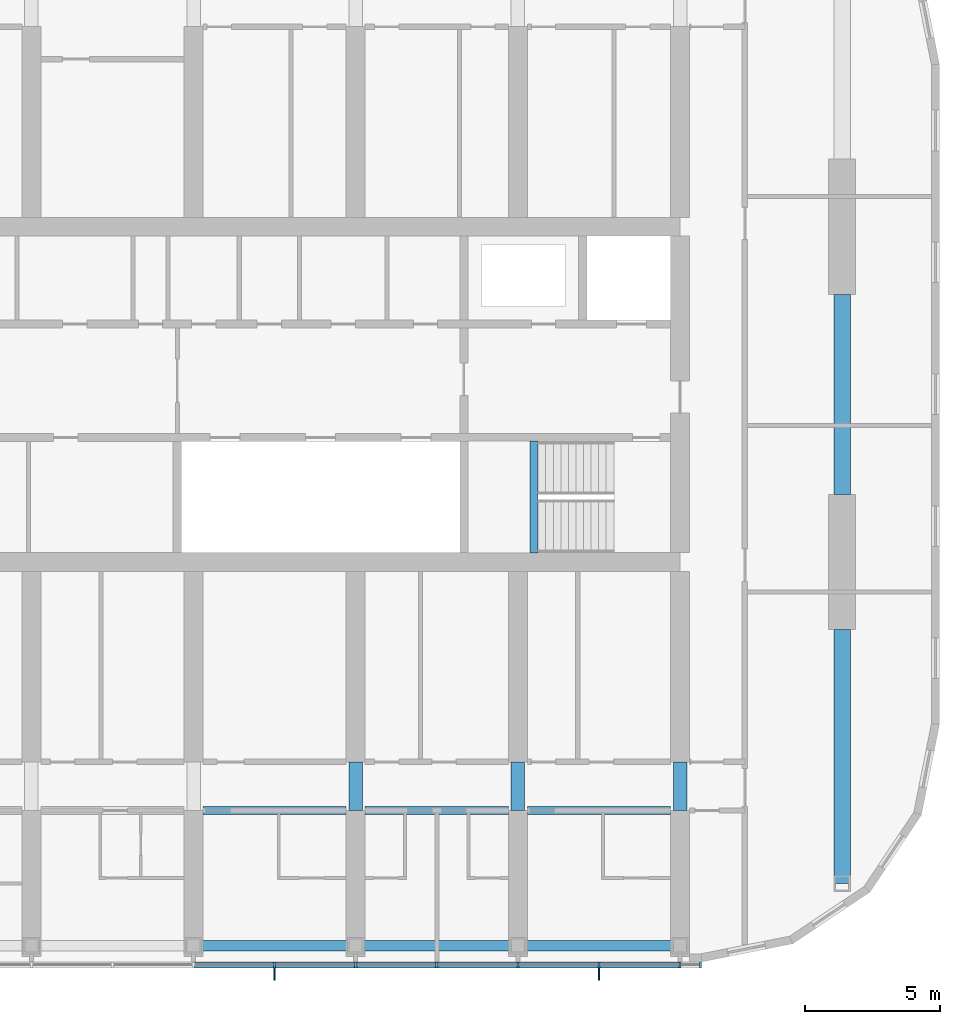
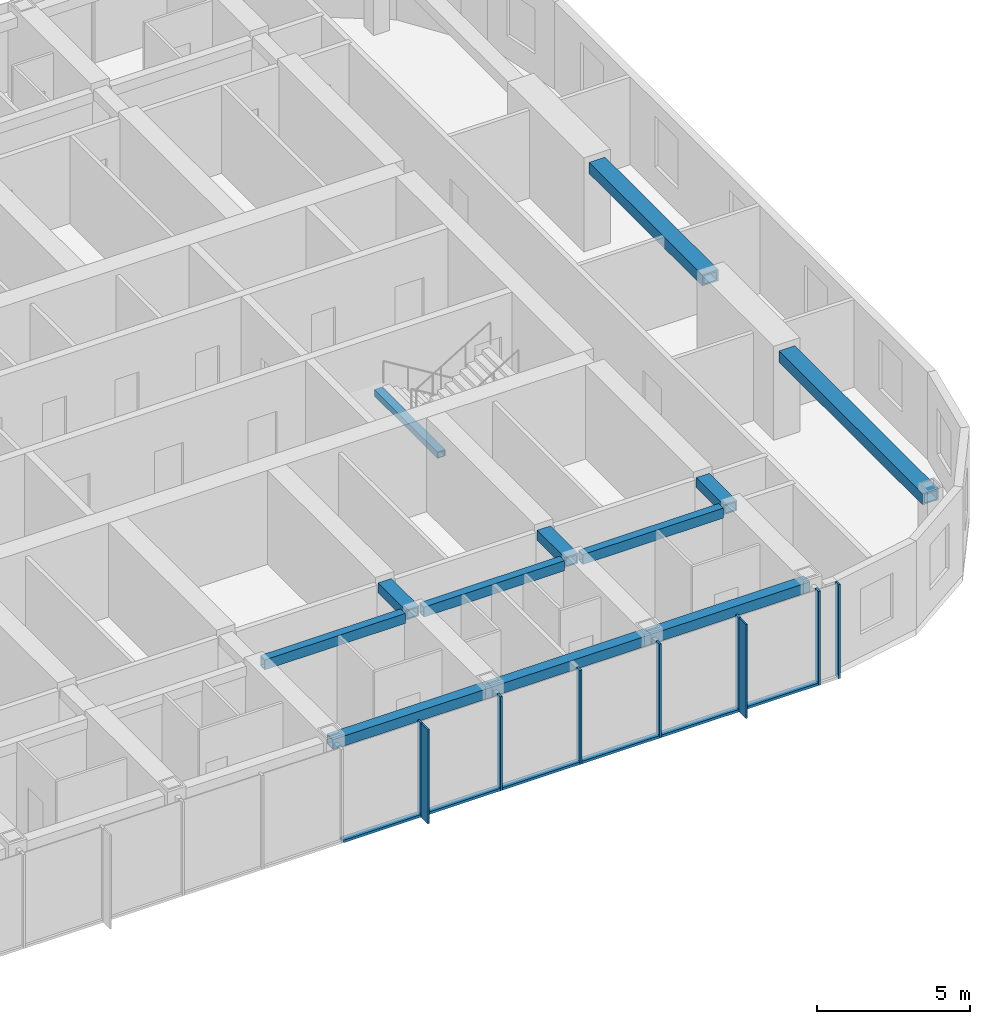
# One storey, part 3 of 23: 15 members, 12 beams, 1 element without a shape of its own.
"""IFC4 building model written with IfcOpenShell, lengths in metres."""

from ifc_helpers import new_model, si_unit, direction, frame, origin, origin_2d, place, context, subcontext, project, spatial, rectangle, hollow_rectangle, extrude, material, material_profile, profile_set, type_object, element, aggregate, save


model = new_model("IFC4")

# Units and contexts
model_context = context("Model", 3, precision=1e-05, world=origin(), true_north=direction((0.0, 1.0)))
body_context = subcontext(model_context, "Body", "Model", "MODEL_VIEW")
ifc_project = project(units=[si_unit("LENGTHUNIT", "METRE"), si_unit("AREAUNIT", "SQUARE_METRE"), si_unit("VOLUMEUNIT", "CUBIC_METRE"), si_unit("PLANEANGLEUNIT", "RADIAN"), si_unit("MASSUNIT", "GRAM", prefix="KILO")], contexts=[model_context])

# Site, building, storey
site_placement = place(None, origin())
site = spatial("IfcSite", under=ifc_project, at=site_placement, CompositionType="ELEMENT")
building_placement = place(site_placement, origin())
building = spatial("IfcBuilding", under=site, at=building_placement, Name="Orbita Commons", CompositionType="ELEMENT")
storey_placement = place(building_placement, frame((0.0, 0.0, 220.300048828125)))
storey = spatial("IfcBuildingStorey", under=building, at=storey_placement, Name="L54", CompositionType="ELEMENT", Elevation=220.300048828125)

# Curtain wall, members
ifc_material_1 = material(Name="Anodised aluminium frame, pale silver", Category="aluminium")
curtain_wall_type = type_object("IfcCurtainWallType", Name="Unitised curtain wall CW-U, full-height vision", PredefinedType="NOTDEFINED", material=ifc_material_1)
curtain_wall_placement = place(storey_placement, origin())
curtain_wall = element("IfcCurtainWall", 1, at=curtain_wall_placement, inside=storey, type_object=curtain_wall_type, Name="Curtain wall south L54", PredefinedType="NOTDEFINED")
ifc_material_2 = material(Name="Anodised aluminium, pale silver", Category="aluminium")
ifc_material_profile_1 = material_profile(ifc_material_2, rectangle(XDim=0.080078125, YDim=0.219970703125, at=origin_2d()), Name="AL 80x220")
ifc_profile_set_1 = profile_set([ifc_material_profile_1], Name="Anodised aluminium, pale silver")
member_type_1 = type_object("IfcMemberType", Name="Curtain wall mullion 80x220", PredefinedType="MULLION", material=ifc_profile_set_1)
member_1_placement = place(storey_placement, frame((51.0, 10.889892578125, -0.25), z_axis=(0.0, 0.0, 1.0), x_axis=(1.0, 0.0, 0.0)))
member_1 = element("IfcMember", 2, at=member_1_placement, type_object=member_type_1, Name="Mullion 13 CW-L54-S", PredefinedType="MULLION", context=body_context, shape_type="SweptSolid", body=[
    extrude(rectangle(XDim=0.080078125, YDim=0.219970703125, at=origin_2d()), origin(), (0.0, 0.0, 1.0), 3.75),
])
member_2_placement = place(storey_placement, frame((54.0, 10.889892578125, -0.25), z_axis=(0.0, 0.0, 1.0), x_axis=(1.0, 0.0, 0.0)))
member_2 = element("IfcMember", 3, at=member_2_placement, type_object=member_type_1, Name="Mullion 14 CW-L54-S", PredefinedType="MULLION", context=body_context, shape_type="SweptSolid", body=[
    extrude(rectangle(XDim=0.080078125, YDim=0.219970703125, at=origin_2d()), origin(), (0.0, 0.0, 1.0), 3.75),
])
member_3_placement = place(storey_placement, frame((57.0, 10.889892578125, -0.25), z_axis=(0.0, 0.0, 1.0), x_axis=(1.0, 0.0, 0.0)))
member_3 = element("IfcMember", 4, at=member_3_placement, type_object=member_type_1, Name="Mullion 15 CW-L54-S", PredefinedType="MULLION", context=body_context, shape_type="SweptSolid", body=[
    extrude(rectangle(XDim=0.080078125, YDim=0.219970703125, at=origin_2d()), origin(), (0.0, 0.0, 1.0), 3.75),
])
member_4_placement = place(storey_placement, frame((60.0, 10.889892578125, -0.25), z_axis=(0.0, 0.0, 1.0), x_axis=(1.0, 0.0, 0.0)))
member_4 = element("IfcMember", 5, at=member_4_placement, type_object=member_type_1, Name="Mullion 16 CW-L54-S", PredefinedType="MULLION", context=body_context, shape_type="SweptSolid", body=[
    extrude(rectangle(XDim=0.080078125, YDim=0.219970703125, at=origin_2d()), origin(), (0.0, 0.0, 1.0), 3.75),
])
member_5_placement = place(storey_placement, frame((63.0, 10.889892578125, -0.25), z_axis=(0.0, 0.0, 1.0), x_axis=(1.0, 0.0, 0.0)))
member_5 = element("IfcMember", 6, at=member_5_placement, type_object=member_type_1, Name="Mullion 17 CW-L54-S", PredefinedType="MULLION", context=body_context, shape_type="SweptSolid", body=[
    extrude(rectangle(XDim=0.080078125, YDim=0.219970703125, at=origin_2d()), origin(), (0.0, 0.0, 1.0), 3.75),
])
member_6_placement = place(storey_placement, frame((66.0, 10.889892578125, -0.25), z_axis=(0.0, 0.0, 1.0), x_axis=(1.0, 0.0, 0.0)))
member_6 = element("IfcMember", 7, at=member_6_placement, type_object=member_type_1, Name="Mullion 18 CW-L54-S", PredefinedType="MULLION", context=body_context, shape_type="SweptSolid", body=[
    extrude(rectangle(XDim=0.080078125, YDim=0.219970703125, at=origin_2d()), origin(), (0.0, 0.0, 1.0), 3.75),
])
member_7_placement = place(storey_placement, frame((66.760009765625, 10.889892578125, -0.25), z_axis=(0.0, 0.0, 1.0), x_axis=(1.0, 0.0, 0.0)))
member_7 = element("IfcMember", 8, at=member_7_placement, type_object=member_type_1, Name="Mullion 19 CW-L54-S", PredefinedType="MULLION", context=body_context, shape_type="SweptSolid", body=[
    extrude(rectangle(XDim=0.080078125, YDim=0.219970703125, at=origin_2d()), origin(), (0.0, 0.0, 1.0), 3.75),
])
ifc_material_3 = material(Name="Anodised aluminium, pale silver", Category="aluminium")
ifc_material_profile_2 = material_profile(ifc_material_3, rectangle(XDim=0.219970703125, YDim=0.10009765625, at=origin_2d()), Name="AL 220x100")
ifc_profile_set_2 = profile_set([ifc_material_profile_2], Name="Anodised aluminium, pale silver")
member_type_2 = type_object("IfcMemberType", Name="Curtain wall stack transom 220x100", PredefinedType="USERDEFINED", material=ifc_profile_set_2)
member_8_placement = place(storey_placement, frame((48.0400390625, 10.889892578125, -0.199951171875), z_axis=(1.0, 0.0, 0.0), x_axis=(0.0, 1.0, 0.0)))
member_8 = element("IfcMember", 9, at=member_8_placement, type_object=member_type_2, Name="Transom 12.1 CW-L54-S", ObjectType="TRANSOM", PredefinedType="USERDEFINED", context=body_context, shape_type="SweptSolid", body=[
    extrude(rectangle(XDim=0.219970703125, YDim=0.10009765625, at=origin_2d()), origin(), (0.0, 0.0, 1.0), 2.919921875),
])
member_9_placement = place(storey_placement, frame((51.0400390625, 10.889892578125, -0.199951171875), z_axis=(1.0, 0.0, 0.0), x_axis=(0.0, 1.0, 0.0)))
member_9 = element("IfcMember", 10, at=member_9_placement, type_object=member_type_2, Name="Transom 13.1 CW-L54-S", ObjectType="TRANSOM", PredefinedType="USERDEFINED", context=body_context, shape_type="SweptSolid", body=[
    extrude(rectangle(XDim=0.219970703125, YDim=0.10009765625, at=origin_2d()), origin(), (0.0, 0.0, 1.0), 2.919921875),
])
member_10_placement = place(storey_placement, frame((54.0400390625, 10.889892578125, -0.199951171875), z_axis=(1.0, 0.0, 0.0), x_axis=(0.0, 1.0, 0.0)))
member_10 = element("IfcMember", 11, at=member_10_placement, type_object=member_type_2, Name="Transom 14.1 CW-L54-S", ObjectType="TRANSOM", PredefinedType="USERDEFINED", context=body_context, shape_type="SweptSolid", body=[
    extrude(rectangle(XDim=0.219970703125, YDim=0.10009765625, at=origin_2d()), origin(), (0.0, 0.0, 1.0), 2.919921875),
])
member_11_placement = place(storey_placement, frame((57.0400390625, 10.889892578125, -0.199951171875), z_axis=(1.0, 0.0, 0.0), x_axis=(0.0, 1.0, 0.0)))
member_11 = element("IfcMember", 12, at=member_11_placement, type_object=member_type_2, Name="Transom 15.1 CW-L54-S", ObjectType="TRANSOM", PredefinedType="USERDEFINED", context=body_context, shape_type="SweptSolid", body=[
    extrude(rectangle(XDim=0.219970703125, YDim=0.10009765625, at=origin_2d()), origin(), (0.0, 0.0, 1.0), 2.919921875),
])
member_12_placement = place(storey_placement, frame((60.0400390625, 10.889892578125, -0.199951171875), z_axis=(1.0, 0.0, 0.0), x_axis=(0.0, 1.0, 0.0)))
member_12 = element("IfcMember", 13, at=member_12_placement, type_object=member_type_2, Name="Transom 16.1 CW-L54-S", ObjectType="TRANSOM", PredefinedType="USERDEFINED", context=body_context, shape_type="SweptSolid", body=[
    extrude(rectangle(XDim=0.219970703125, YDim=0.10009765625, at=origin_2d()), origin(), (0.0, 0.0, 1.0), 2.919921875),
])
member_13_placement = place(storey_placement, frame((63.0400390625, 10.889892578125, -0.199951171875), z_axis=(1.0, 0.0, 0.0), x_axis=(0.0, 1.0, 0.0)))
member_13 = element("IfcMember", 14, at=member_13_placement, type_object=member_type_2, Name="Transom 17.1 CW-L54-S", ObjectType="TRANSOM", PredefinedType="USERDEFINED", context=body_context, shape_type="SweptSolid", body=[
    extrude(rectangle(XDim=0.219970703125, YDim=0.10009765625, at=origin_2d()), origin(), (0.0, 0.0, 1.0), 2.919921875),
])

# Beams
ifc_material_4 = material(Name="Steel ASTM A572 Gr 50 welded plate", Category="steel")
ifc_material_profile_3 = material_profile(ifc_material_4, hollow_rectangle(XDim=0.300048828125, YDim=0.25, WallThickness=0.02490234375, at=origin_2d()), Name="BOX 250x300x25")
ifc_profile_set_3 = profile_set([ifc_material_profile_3], Name="Steel ASTM A572 Gr 50 welded plate")
beam_type_1 = type_object("IfcBeamType", Name="Stair landing beam steel BOX 250x300x25", PredefinedType="BEAM", material=ifc_profile_set_3)
beam_1_placement = place(storey_placement, frame((60.60009765625, 26.135009765625, 1.550048828125), z_axis=(0.0, 1.0, 0.0), x_axis=(-1.0, 0.0, 0.0)))
element("IfcBeam", 15, at=beam_1_placement, inside=storey, type_object=beam_type_1, Name="Stair S2 landing beam L54 1", PredefinedType="BEAM", context=body_context, shape_type="SweptSolid", body=[
    extrude(hollow_rectangle(XDim=0.300048828125, YDim=0.25, WallThickness=0.02490234375, at=origin_2d()), origin(), (0.0, 0.0, 1.0), 4.1298828125),
])
ifc_material_5 = material(Name="Steel ASTM A572 Gr 50 welded plate", Category="steel")
ifc_material_profile_4 = material_profile(ifc_material_5, hollow_rectangle(XDim=0.300048828125, YDim=0.39990234375, WallThickness=0.0400390625, at=origin_2d()), Name="BOX 400x300x40")
ifc_profile_set_4 = profile_set([ifc_material_profile_4], Name="Steel ASTM A572 Gr 50 welded plate")
beam_type_2 = type_object("IfcBeamType", Name="Steel corridor link BOX 400x300x40", PredefinedType="BEAM", material=ifc_profile_set_4)
for number, where, z_axis, x_axis, name in (
    (16, (48.35009765625, 16.60009765625, 3.300048828125), (1.0, 0.0, 0.0), (0.0, 1.0, 0.0), "Corridor beam SA 9-10 L54"),
    (17, (54.35009765625, 16.60009765625, 3.300048828125), (1.0, 0.0, 0.0), (0.0, 1.0, 0.0), "Corridor beam SA 10-11 L54"),
    (18, (60.35009765625, 16.60009765625, 3.300048828125), (1.0, 0.0, 0.0), (0.0, 1.0, 0.0), "Corridor beam SA 11-12 L54"),
):
    element("IfcBeam", number, at=place(storey_placement, frame(where, z_axis=z_axis, x_axis=x_axis)), inside=storey, type_object=beam_type_2, Name=name, PredefinedType="BEAM", context=body_context, shape_type="SweptSolid", body=[
        extrude(hollow_rectangle(XDim=0.300048828125, YDim=0.39990234375, WallThickness=0.0400390625, at=origin_2d()), origin(), (0.0, 0.0, 1.0), 5.2998046875),
    ])
ifc_material_6 = material(Name="Steel ASTM A572 Gr 50 welded plate", Category="steel")
ifc_material_profile_5 = material_profile(ifc_material_6, hollow_rectangle(XDim=0.5, YDim=0.39990234375, WallThickness=0.050048828125, at=origin_2d()), Name="BOX 400x500x50")
ifc_profile_set_5 = profile_set([ifc_material_profile_5], Name="Steel ASTM A572 Gr 50 welded plate")
beam_type_3 = type_object("IfcBeamType", Name="Steel coupling link BOX 400x500x50", PredefinedType="LINTEL", material=ifc_profile_set_5)
for number, where, z_axis, x_axis, name in (
    (19, (54.0, 16.60009765625, 3.300048828125), (0.0, 1.0, 0.0), (-1.0, 0.0, 0.0), "Coupling beam 10 south L54"),
    (20, (60.0, 16.60009765625, 3.300048828125), (0.0, 1.0, 0.0), (-1.0, 0.0, 0.0), "Coupling beam 11 south L54"),
    (21, (66.0, 16.60009765625, 3.300048828125), (0.0, 1.0, 0.0), (-1.0, 0.0, 0.0), "Coupling beam 12 south L54"),
):
    element("IfcBeam", number, at=place(storey_placement, frame(where, z_axis=z_axis, x_axis=x_axis)), inside=storey, type_object=beam_type_3, Name=name, PredefinedType="LINTEL", context=body_context, shape_type="SweptSolid", body=[
        extrude(hollow_rectangle(XDim=0.5, YDim=0.39990234375, WallThickness=0.050048828125, at=origin_2d()), origin(), (0.0, 0.0, 1.0), 1.7998046875),
    ])
ifc_material_7 = material(Name="Steel ASTM A572 Gr 50 welded plate", Category="steel")
ifc_material_profile_6 = material_profile(ifc_material_7, hollow_rectangle(XDim=0.60009765625, YDim=0.449951171875, WallThickness=0.06005859375, at=origin_2d()), Name="BOX 450x600x60")
ifc_profile_set_6 = profile_set([ifc_material_profile_6], Name="Steel ASTM A572 Gr 50 welded plate")
beam_type_4 = type_object("IfcBeamType", Name="Steel end frame link BOX 450x600x60", PredefinedType="BEAM", material=ifc_profile_set_6)
beam_2_placement = place(storey_placement, frame((72.0, 13.89990234375, 3.27490234375), z_axis=(0.0, 1.0, 0.0), x_axis=(-1.0, 0.0, 0.0)))
element("IfcBeam", 22, at=beam_2_placement, inside=storey, type_object=beam_type_4, Name="End frame beam 13 B-C L54", PredefinedType="BEAM", context=body_context, shape_type="SweptSolid", body=[
    extrude(hollow_rectangle(XDim=0.60009765625, YDim=0.449951171875, WallThickness=0.06005859375, at=origin_2d()), origin(), (0.0, 0.0, 1.0), 9.400146484375),
])
beam_3_placement = place(storey_placement, frame((72.0, 28.300048828125, 3.27490234375), z_axis=(0.0, 1.0, 0.0), x_axis=(-1.0, 0.0, 0.0)))
element("IfcBeam", 23, at=beam_3_placement, inside=storey, type_object=beam_type_4, Name="End frame beam 13 C-D L54", PredefinedType="BEAM", context=body_context, shape_type="SweptSolid", body=[
    extrude(hollow_rectangle(XDim=0.60009765625, YDim=0.449951171875, WallThickness=0.06005859375, at=origin_2d()), origin(), (0.0, 0.0, 1.0), 7.39990234375),
])
ifc_material_8 = material(Name="Steel ASTM A572 Gr 50 welded plate", Category="steel")
ifc_material_profile_7 = material_profile(ifc_material_8, hollow_rectangle(XDim=0.39990234375, YDim=0.39990234375, WallThickness=0.0400390625, at=origin_2d()), Name="BOX 400x400x40")
ifc_profile_set_7 = profile_set([ifc_material_profile_7], Name="Steel ASTM A572 Gr 50 welded plate")
beam_type_5 = type_object("IfcBeamType", Name="Steel spandrel BOX 400x400x40", PredefinedType="SPANDREL", material=ifc_profile_set_7)
for number, where, z_axis, x_axis, name in (
    (24, (48.0, 11.60009765625, 3.300048828125), (1.0, 0.0, 0.0), (0.0, 1.0, 0.0), "Spandrel beam B 9-10 L54"),
    (25, (54.0, 11.60009765625, 3.300048828125), (1.0, 0.0, 0.0), (0.0, 1.0, 0.0), "Spandrel beam B 10-11 L54"),
    (26, (60.0, 11.60009765625, 3.300048828125), (1.0, 0.0, 0.0), (0.0, 1.0, 0.0), "Spandrel beam B 11-12 L54"),
):
    element("IfcBeam", number, at=place(storey_placement, frame(where, z_axis=z_axis, x_axis=x_axis)), inside=storey, type_object=beam_type_5, Name=name, PredefinedType="SPANDREL", context=body_context, shape_type="SweptSolid", body=[
        extrude(hollow_rectangle(XDim=0.39990234375, YDim=0.39990234375, WallThickness=0.0400390625, at=origin_2d()), origin(), (0.0, 0.0, 1.0), 6.0),
    ])

# Member
ifc_material_9 = material(Name="Anodised aluminium, pale silver", Category="aluminium")
ifc_material_profile_8 = material_profile(ifc_material_9, rectangle(XDim=0.06005859375, YDim=0.449951171875, at=origin_2d()), Name="FIN 60x450")
ifc_profile_set_8 = profile_set([ifc_material_profile_8], Name="Anodised aluminium, pale silver")
member_type_3 = type_object("IfcMemberType", Name="Vertical fin 60x450 pale aluminium", PredefinedType="USERDEFINED", material=ifc_profile_set_8)
member_14_placement = place(storey_placement, frame((51.0, 10.554931640625, -0.25), z_axis=(0.0, 0.0, 1.0), x_axis=(1.0, 0.0, 0.0)))
member_14 = element("IfcMember", 27, at=member_14_placement, type_object=member_type_3, Name="Fin 13 CW-L54-S", ObjectType="FIN", PredefinedType="USERDEFINED", context=body_context, shape_type="SweptSolid", body=[
    extrude(rectangle(XDim=0.06005859375, YDim=0.449951171875, at=origin_2d()), origin(), (0.0, 0.0, 1.0), 3.75),
])

member_15_placement = place(storey_placement, frame((63.0, 10.554931640625, -0.25), z_axis=(0.0, 0.0, 1.0), x_axis=(1.0, 0.0, 0.0)))
member_15 = element("IfcMember", 28, at=member_15_placement, type_object=member_type_3, Name="Fin 17 CW-L54-S", ObjectType="FIN", PredefinedType="USERDEFINED", context=body_context, shape_type="SweptSolid", body=[
    extrude(rectangle(XDim=0.06005859375, YDim=0.449951171875, at=origin_2d()), origin(), (0.0, 0.0, 1.0), 3.75),
])

aggregate(curtain_wall, [member_1, member_14, member_2, member_3, member_4, member_5, member_15, member_6, member_7, member_8, member_9, member_10, member_11, member_12, member_13])

save(model, "model.ifc")
